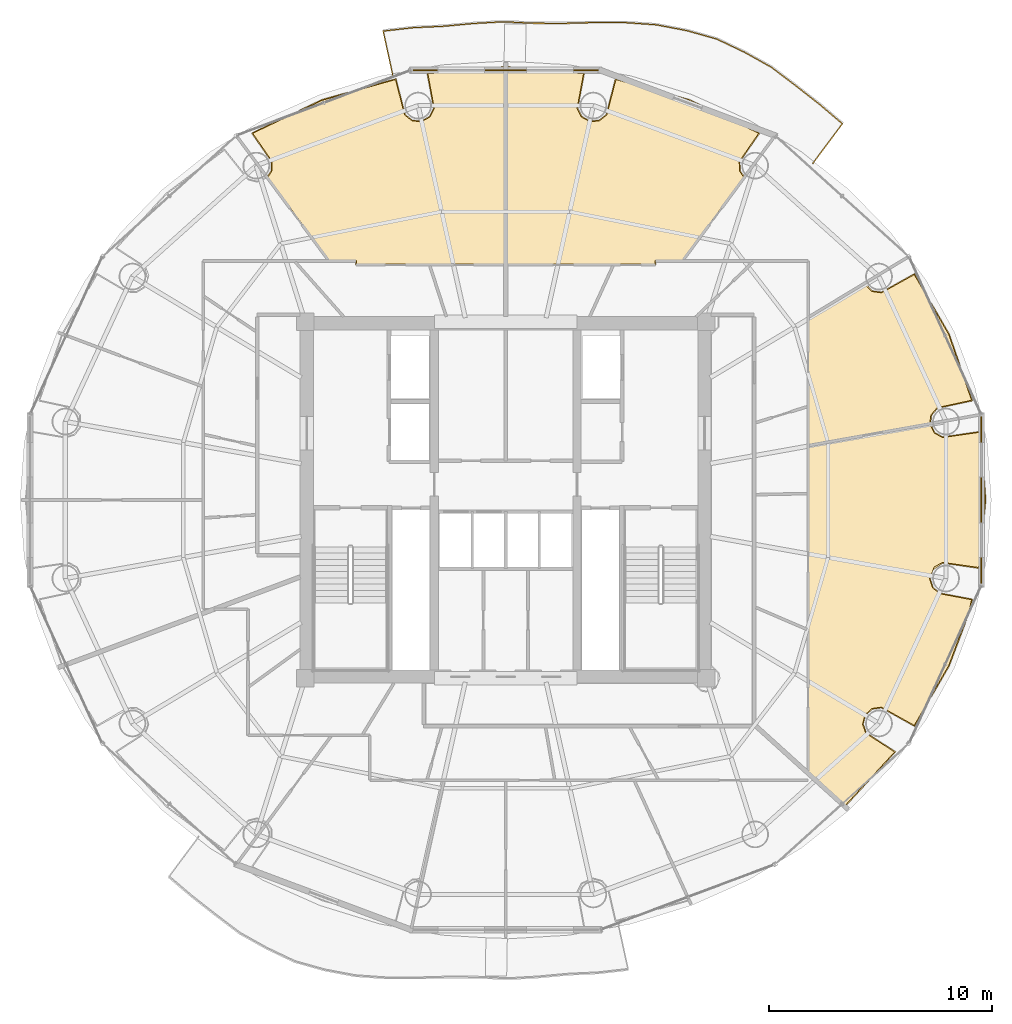
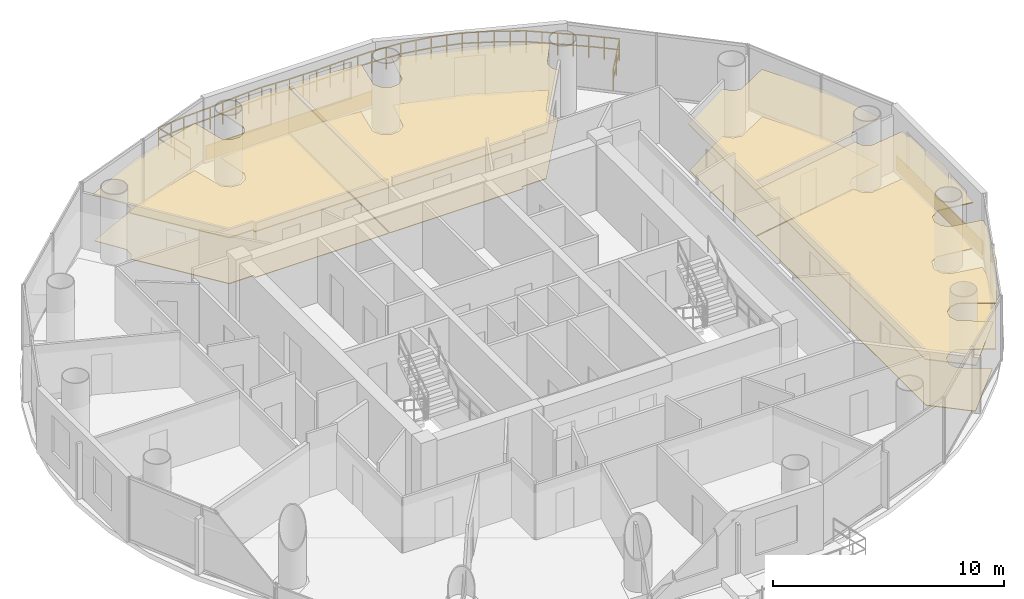
# One storey, part 26 of 26: 10 coverings, 1 railing.
"""IFC4 building model written with IfcOpenShell, lengths in metres."""

import ifcopenshell
import ifcopenshell.guid

model = None  # the IFC model being written
_history = None  # IfcOwnerHistory: only IFC2X3 demands one
_inside = {}  # id of a spatial element -> (the spatial element, [elements in it])
_under = {}  # id of a project, library or spatial element -> (it, [spatial elements below it])
_declared = {}  # id of a project -> (the project, [libraries it declares])
_typed = {}  # id of a type object -> (the type object, [elements of that type])
_made_of = {}  # id of a material, layer set ... -> (it, [elements and type objects made of it])


def new_model(schema):
    """Start an empty IFC model of exactly this schema.

    Asked for "IFC4X3", IfcOpenShell would pick the latest addendum, in which some entities
    have other attributes; the version numbers below select the first issue.
    IFC2X3 requires an IfcOwnerHistory on every rooted entity: one is made here for all.
    """
    global model, _history
    if schema == "IFC4X3":
        model = ifcopenshell.file(schema_version=(4, 3, 0, 0))
    else:
        model = ifcopenshell.file(schema=schema)
    _inside.clear()
    _under.clear()
    _declared.clear()
    _typed.clear()
    _made_of.clear()
    _history = None
    if model.schema == "IFC2X3":
        org = make("IfcOrganization", Name="unknown")
        user = make(
            "IfcPersonAndOrganization",
            ThePerson=make("IfcPerson", FamilyName="unknown"),
            TheOrganization=org,
        )
        app = make(
            "IfcApplication",
            ApplicationDeveloper=org,
            Version="unknown",
            ApplicationFullName="unknown",
            ApplicationIdentifier="unknown",
        )
        _history = make(
            "IfcOwnerHistory",
            OwningUser=user,
            OwningApplication=app,
            ChangeAction="ADDED",
            CreationDate=0,
        )
    return model


def make(cls, **values):
    """One entity of the class cls with the attributes given. An attribute that is None is left unset."""
    return model.create_entity(
        cls, **{name: value for name, value in values.items() if value is not None}
    )


def rooted(cls, **values):
    """An entity with a GlobalId (a new one), such as an element, a storey or a relation."""
    return make(cls, GlobalId=ifcopenshell.guid.new(), OwnerHistory=_history, **values)


def si_unit(unit_type, name, prefix=None):
    """IfcSIUnit, for example si_unit("LENGTHUNIT", "METRE", prefix="MILLI")."""
    return make("IfcSIUnit", UnitType=unit_type, Prefix=prefix, Name=name)


def assignment(units):
    """IfcUnitAssignment: the units of a project."""
    return None if units is None else make("IfcUnitAssignment", Units=units)


def point(xyz):
    """IfcCartesianPoint."""
    return None if xyz is None else make("IfcCartesianPoint", Coordinates=xyz)


def direction(xyz):
    """IfcDirection."""
    return None if xyz is None else make("IfcDirection", DirectionRatios=xyz)


def frame(location, z_axis=None, x_axis=None):
    """IfcAxis2Placement3D, a coordinate frame: its origin and axes. An axis left out is left unset."""
    return make(
        "IfcAxis2Placement3D",
        Location=point(location),
        Axis=direction(z_axis),
        RefDirection=direction(x_axis),
    )


def frame_2d(location, x_axis=None):
    """IfcAxis2Placement2D, a coordinate frame in the plane: its origin and x axis."""
    return make(
        "IfcAxis2Placement2D", Location=point(location), RefDirection=direction(x_axis)
    )


def origin():
    """The frame at (0, 0, 0) with its axes left unset."""
    return frame((0.0, 0.0, 0.0))


def origin_2d():
    """The frame at (0, 0) in the plane with its x axis left unset."""
    return frame_2d((0.0, 0.0))


def place(relative_to, where):
    """IfcLocalPlacement: puts the frame where relative to a parent placement (None: the world)."""
    return make(
        "IfcLocalPlacement", PlacementRelTo=relative_to, RelativePlacement=where
    )


def context(
    kind, dimensions, precision=None, world=None, true_north=None, identifier=None
):
    """IfcGeometricRepresentationContext, for example the 3D "Model" context."""
    return make(
        "IfcGeometricRepresentationContext",
        ContextIdentifier=identifier,
        ContextType=kind,
        CoordinateSpaceDimension=dimensions,
        Precision=precision,
        WorldCoordinateSystem=world,
        TrueNorth=true_north,
    )


def subcontext(parent, identifier, kind, view, scale=None):
    """IfcGeometricRepresentationSubContext, for example "Body" below "Model"."""
    return make(
        "IfcGeometricRepresentationSubContext",
        ContextIdentifier=identifier,
        ContextType=kind,
        ParentContext=parent,
        TargetScale=scale,
        TargetView=view,
    )


def project(units=None, contexts=None):
    """IfcProject with its units and contexts."""
    return rooted(
        "IfcProject",
        Name="project",
        RepresentationContexts=contexts,
        UnitsInContext=assignment(units),
    )


def spatial(cls, under=None, at=None, **own):
    """A site, building, storey or space (cls), placed at a placement, below another one or the project."""
    s = rooted(cls, ObjectPlacement=at, **own)
    if under is not None:
        _under.setdefault(under.id(), (under, []))[1].append(s)
    return s


def polyline(points):
    """IfcPolyline through the points."""
    return make("IfcPolyline", Points=[point(p) for p in points])


def profile(cls, at=None, kind="AREA", **sizes):
    """A parametric profile (cls). Its sizes go by their IFC names, for example OverallWidth=200.0."""
    return make(cls, ProfileType=kind, Position=at, **sizes)


def rectangle(**sizes):
    """IfcRectangleProfileDef."""
    return profile("IfcRectangleProfileDef", **sizes)


def outline(outer, holes=None, kind="AREA"):
    """IfcArbitraryClosedProfileDef: a profile drawn as a closed curve; with holes, ...WithVoids."""
    if holes is None:
        return make("IfcArbitraryClosedProfileDef", ProfileType=kind, OuterCurve=outer)
    return make(
        "IfcArbitraryProfileDefWithVoids",
        ProfileType=kind,
        OuterCurve=outer,
        InnerCurves=holes,
    )


def extrude(swept, where, along, depth):
    """IfcExtrudedAreaSolid: the profile swept, set in the frame where, extruded along a direction by depth."""
    return make(
        "IfcExtrudedAreaSolid",
        SweptArea=swept,
        Position=where,
        ExtrudedDirection=direction(along),
        Depth=depth,
    )


def shape(context_of_items, identifier, shape_type, items):
    """IfcShapeRepresentation: the items that make up one representation, for example the "Body"."""
    return make(
        "IfcShapeRepresentation",
        ContextOfItems=context_of_items,
        RepresentationIdentifier=identifier,
        RepresentationType=shape_type,
        Items=items,
    )


def source(mapping_origin, context_of_items, identifier, shape_type, items):
    """IfcRepresentationMap: a shape defined once, which mapped items show again and again."""
    return make(
        "IfcRepresentationMap",
        MappingOrigin=mapping_origin,
        MappedRepresentation=shape(context_of_items, identifier, shape_type, items),
    )


def transform(
    local_origin,
    x_axis=None,
    y_axis=None,
    z_axis=None,
    scale=None,
    scale2=None,
    scale3=None,
    uniform=True,
):
    """IfcCartesianTransformationOperator3D, or its non-uniform kind. x_axis, y_axis, z_axis: its Axis1, 2, 3."""
    if uniform:
        return make(
            "IfcCartesianTransformationOperator3D",
            Axis1=direction(x_axis),
            Axis2=direction(y_axis),
            LocalOrigin=point(local_origin),
            Scale=scale,
            Axis3=direction(z_axis),
        )
    return make(
        "IfcCartesianTransformationOperator3DnonUniform",
        Axis1=direction(x_axis),
        Axis2=direction(y_axis),
        LocalOrigin=point(local_origin),
        Scale=scale,
        Axis3=direction(z_axis),
        Scale2=scale2,
        Scale3=scale3,
    )


def mapped(mapping_source, mapping_target):
    """IfcMappedItem: shows the shape of a source again, moved by a transform."""
    return make(
        "IfcMappedItem", MappingSource=mapping_source, MappingTarget=mapping_target
    )


def material(Name=None, Category=None):
    """IfcMaterial."""
    return make("IfcMaterial", Name=Name, Category=Category)


def layer(
    of_material, thickness, ventilated=None, Name=None, Category=None, Priority=None
):
    """IfcMaterialLayer: one layer of a wall or slab, of a material (None: an air gap)."""
    return make(
        "IfcMaterialLayer",
        Material=of_material,
        LayerThickness=thickness,
        IsVentilated=ventilated,
        Name=Name,
        Category=Category,
        Priority=Priority,
    )


def layer_set(layers, Name=None):
    """IfcMaterialLayerSet."""
    return make("IfcMaterialLayerSet", MaterialLayers=layers, LayerSetName=Name)


def made_of(thing, what):
    """Note that an element or type object is made of a material, layer set ...; save() writes the relation."""
    if what is not None:
        _made_of.setdefault(what.id(), (what, []))[1].append(thing)
    return thing


def type_object(cls, material=None, **own):
    """A type object (cls), such as IfcWallType, which elements share."""
    return made_of(rooted(cls, **own), material)


def element(
    cls,
    number,
    at=None,
    inside=None,
    cuts=None,
    type_object=None,
    material=None,
    context=None,
    identifier="Body",
    shape_type=None,
    held_by="IfcProductDefinitionShape",
    body=None,
    shapes=None,
    **own,
):
    """One element of the class cls, such as IfcWall. Its Tag is "e" and its number.

    at: its placement. inside: the storey or other place that contains it. cuts: it is an
    opening in that element (IfcRelVoidsElement). A single representation is given by context,
    identifier, shape_type and body (its items); several are given by shapes. held_by: the class
    of the entity that holds the representations. save() writes the other relations.
    """
    e = rooted(cls, Tag="e%d" % number, ObjectPlacement=at, **own)
    if body is not None:
        shapes = [shape(context, identifier, shape_type, body)]
    if shapes is not None:
        e.Representation = make(held_by, Representations=shapes)
    if inside is not None:
        _inside.setdefault(inside.id(), (inside, []))[1].append(e)
    if cuts is not None:
        rooted(
            "IfcRelVoidsElement", RelatingBuildingElement=cuts, RelatedOpeningElement=e
        )
    if type_object is not None:
        _typed.setdefault(type_object.id(), (type_object, []))[1].append(e)
    return made_of(e, material)


def aggregate(whole, parts):
    """IfcRelAggregates: a whole, such as a stair, and the parts it consists of."""
    return rooted("IfcRelAggregates", RelatingObject=whole, RelatedObjects=parts)


def save(model, path):
    """Write the relations noted so far, then the file.

    IfcRelAggregates (storeys below a building ...), IfcRelContainedInSpatialStructure (elements
    in a storey), IfcRelDefinesByType, IfcRelAssociatesMaterial and IfcRelDeclares: one each for
    every whole, place, type object, material and project.
    """
    for whole, parts in _under.values():
        aggregate(whole, parts)
    for where, things in _inside.values():
        rooted(
            "IfcRelContainedInSpatialStructure",
            RelatedElements=things,
            RelatingStructure=where,
        )
    for kind, things in _typed.values():
        rooted("IfcRelDefinesByType", RelatedObjects=things, RelatingType=kind)
    for what, things in _made_of.values():
        rooted("IfcRelAssociatesMaterial", RelatedObjects=things, RelatingMaterial=what)
    for by, libraries in _declared.values():
        rooted("IfcRelDeclares", RelatingContext=by, RelatedDefinitions=libraries)
    model.write(path)


model = new_model("IFC4")

# Units and contexts
model_context = context("Model", 3, precision=1e-05, world=origin(), true_north=direction((-0.2419218956, 0.970295726276)))
body_context = subcontext(model_context, "Body", "Model", "MODEL_VIEW")
ifc_project = project(units=[si_unit("LENGTHUNIT", "METRE"), si_unit("AREAUNIT", "SQUARE_METRE"), si_unit("VOLUMEUNIT", "CUBIC_METRE"), si_unit("PLANEANGLEUNIT", "RADIAN"), si_unit("MASSUNIT", "GRAM", prefix="KILO")], contexts=[model_context])

# Site, building, storey
site_placement = place(None, origin())
site = spatial("IfcSite", under=ifc_project, at=site_placement, CompositionType="ELEMENT")
building_placement = place(site_placement, origin())
building = spatial("IfcBuilding", under=site, at=building_placement, Name="Cobrevalo Terracotta Tower", CompositionType="ELEMENT")
storey_placement = place(building_placement, frame((0.0, 0.0, 209.699951171875)))
storey = spatial("IfcBuildingStorey", under=building, at=storey_placement, Name="L55", CompositionType="ELEMENT", Elevation=209.699951171875)

# Railing
ifc_material_1 = material(Name="Laminated structural glass and stainless steel", Category="steel")
railing_type = type_object("IfcRailingType", Name="Balcony lobe structural glass & terracotta-cap balustrade 1180 mm", PredefinedType="BALUSTRADE", material=ifc_material_1)
railing_placement = place(storey_placement, frame((51.78515625, 41.906982421875, 0.0)))
element("IfcRailing", 1, at=railing_placement, inside=storey, type_object=railing_type, Name="L55 spiralling balcony lobe balustrade 1", PredefinedType="BALUSTRADE", context=body_context, shape_type="SweptSolid", body=[
    extrude(rectangle(XDim=0.048095703125, YDim=0.048095703125, at=origin_2d()), frame((0.0, 0.0, 1.15576171875), z_axis=(0.597710082733, 0.801712328082, 0.0), x_axis=(-0.801712328082, 0.597710082733, 0.0)), (0.0, 0.0, 1.0), 2.219970703125),
    extrude(rectangle(XDim=0.048095703125, YDim=0.048095703125, at=origin_2d()), frame((0.0, 0.0, 0.58984375), z_axis=(0.597710082733, 0.801712328082, 0.0), x_axis=(-0.801712328082, 0.597710082733, 0.0)), (0.0, 0.0, 1.0), 2.219970703125),
    extrude(rectangle(XDim=0.048095703125, YDim=0.048095703125, at=origin_2d()), frame((1.326904296875, 1.77978515625, 1.15576171875), z_axis=(-0.761732547747, 0.647891600272, 0.0), x_axis=(-0.647891600272, -0.761732547747, 0.0)), (0.0, 0.0, 1.0), 1.34033203125),
    extrude(rectangle(XDim=0.048095703125, YDim=0.048095703125, at=origin_2d()), frame((1.326904296875, 1.77978515625, 0.58984375), z_axis=(-0.761732547747, 0.647891600272, 0.0), x_axis=(-0.647891600272, -0.761732547747, 0.0)), (0.0, 0.0, 1.0), 1.34033203125),
    extrude(rectangle(XDim=0.048095703125, YDim=0.048095703125, at=origin_2d()), frame((0.305908203125, 2.648193359375, 1.15576171875), z_axis=(-0.78735727438, 0.616496976863, 0.0), x_axis=(-0.616496976863, -0.78735727438, 0.0)), (0.0, 0.0, 1.0), 1.3603515625),
    extrude(rectangle(XDim=0.048095703125, YDim=0.048095703125, at=origin_2d()), frame((0.305908203125, 2.648193359375, 0.58984375), z_axis=(-0.78735727438, 0.616496976863, 0.0), x_axis=(-0.616496976863, -0.78735727438, 0.0)), (0.0, 0.0, 1.0), 1.3603515625),
    extrude(rectangle(XDim=0.048095703125, YDim=0.048095703125, at=origin_2d()), frame((-0.76513671875, 3.48681640625, 1.15576171875), z_axis=(-0.797115447236, 0.603826931974, 0.0), x_axis=(-0.603826931974, -0.797115447236, 0.0)), (0.0, 0.0, 1.0), 1.37548828125),
    extrude(rectangle(XDim=0.048095703125, YDim=0.048095703125, at=origin_2d()), frame((-0.76513671875, 3.48681640625, 0.58984375), z_axis=(-0.797115447236, 0.603826931974, 0.0), x_axis=(-0.603826931974, -0.797115447236, 0.0)), (0.0, 0.0, 1.0), 1.37548828125),
    extrude(rectangle(XDim=0.048095703125, YDim=0.048095703125, at=origin_2d()), frame((-1.861572265625, 4.3173828125, 1.15576171875), z_axis=(-0.873038587176, 0.487651130729, 0.0), x_axis=(-0.487651130729, -0.873038587176, 0.0)), (0.0, 0.0, 1.0), 1.38232421875),
    extrude(rectangle(XDim=0.048095703125, YDim=0.048095703125, at=origin_2d()), frame((-1.861572265625, 4.3173828125, 0.58984375), z_axis=(-0.873038587176, 0.487651130729, 0.0), x_axis=(-0.487651130729, -0.873038587176, 0.0)), (0.0, 0.0, 1.0), 1.38232421875),
    extrude(rectangle(XDim=0.048095703125, YDim=0.048095703125, at=origin_2d()), frame((-3.068359375, 4.991455078125, 1.15576171875), z_axis=(-0.903169863712, 0.42928335314, 0.0), x_axis=(-0.42928335314, -0.903169863712, 0.0)), (0.0, 0.0, 1.0), 1.384765625),
    extrude(rectangle(XDim=0.048095703125, YDim=0.048095703125, at=origin_2d()), frame((-3.068359375, 4.991455078125, 0.58984375), z_axis=(-0.903169863712, 0.42928335314, 0.0), x_axis=(-0.42928335314, -0.903169863712, 0.0)), (0.0, 0.0, 1.0), 1.384765625),
    extrude(rectangle(XDim=0.048095703125, YDim=0.048095703125, at=origin_2d()), frame((-4.319091796875, 5.5859375, 1.15576171875), z_axis=(-0.962849200281, 0.270039659157, 0.0), x_axis=(-0.270039659157, -0.962849200281, 0.0)), (0.0, 0.0, 1.0), 1.392333984375),
    extrude(rectangle(XDim=0.048095703125, YDim=0.048095703125, at=origin_2d()), frame((-4.319091796875, 5.5859375, 0.58984375), z_axis=(-0.962849200281, 0.270039659157, 0.0), x_axis=(-0.270039659157, -0.962849200281, 0.0)), (0.0, 0.0, 1.0), 1.392333984375),
    extrude(rectangle(XDim=0.048095703125, YDim=0.048095703125, at=origin_2d()), frame((-5.65966796875, 5.9619140625, 1.15576171875), z_axis=(-0.982404507671, 0.18676558384, 0.0), x_axis=(-0.18676558384, -0.982404507671, 0.0)), (0.0, 0.0, 1.0), 1.39208984375),
    extrude(rectangle(XDim=0.048095703125, YDim=0.048095703125, at=origin_2d()), frame((-5.65966796875, 5.9619140625, 0.58984375), z_axis=(-0.982404507671, 0.18676558384, 0.0), x_axis=(-0.18676558384, -0.982404507671, 0.0)), (0.0, 0.0, 1.0), 1.39208984375),
    extrude(rectangle(XDim=0.048095703125, YDim=0.048095703125, at=origin_2d()), frame((-7.02734375, 6.221923828125, 1.15576171875), z_axis=(-0.997537108573, 0.070140694466, 0.0), x_axis=(-0.070140694466, -0.997537108573, 0.0)), (0.0, 0.0, 1.0), 1.395751953125),
    extrude(rectangle(XDim=0.048095703125, YDim=0.048095703125, at=origin_2d()), frame((-7.02734375, 6.221923828125, 0.58984375), z_axis=(-0.997537108573, 0.070140694466, 0.0), x_axis=(-0.070140694466, -0.997537108573, 0.0)), (0.0, 0.0, 1.0), 1.395751953125),
    extrude(rectangle(XDim=0.048095703125, YDim=0.048095703125, at=origin_2d()), frame((-8.419677734375, 6.31982421875, 1.15576171875), z_axis=(-0.999996537414, 0.002631569835, 0.0), x_axis=(-0.002631569835, -0.999996537414, 0.0)), (0.0, 0.0, 1.0), 1.3916015625),
    extrude(rectangle(XDim=0.048095703125, YDim=0.048095703125, at=origin_2d()), frame((-8.419677734375, 6.31982421875, 0.58984375), z_axis=(-0.999996537414, 0.002631569835, 0.0), x_axis=(-0.002631569835, -0.999996537414, 0.0)), (0.0, 0.0, 1.0), 1.3916015625),
    extrude(rectangle(XDim=0.048095703125, YDim=0.048095703125, at=origin_2d()), frame((-9.811279296875, 6.323486328125, 1.15576171875), z_axis=(-0.999615105914, -0.027742386857, 0.0), x_axis=(0.027742386857, -0.999615105914, 0.0)), (0.0, 0.0, 1.0), 1.372802734375),
    extrude(rectangle(XDim=0.048095703125, YDim=0.048095703125, at=origin_2d()), frame((-9.811279296875, 6.323486328125, 0.58984375), z_axis=(-0.999615105914, -0.027742386857, 0.0), x_axis=(0.027742386857, -0.999615105914, 0.0)), (0.0, 0.0, 1.0), 1.372802734375),
    extrude(rectangle(XDim=0.048095703125, YDim=0.048095703125, at=origin_2d()), frame((-11.18359375, 6.285400390625, 1.15576171875), z_axis=(-0.999987296902, 0.00504044002, 0.0), x_axis=(-0.00504044002, -0.999987296902, 0.0)), (0.0, 0.0, 1.0), 1.356201171875),
    extrude(rectangle(XDim=0.048095703125, YDim=0.048095703125, at=origin_2d()), frame((-11.18359375, 6.285400390625, 0.58984375), z_axis=(-0.999987296902, 0.00504044002, 0.0), x_axis=(-0.00504044002, -0.999987296902, 0.0)), (0.0, 0.0, 1.0), 1.356201171875),
    extrude(rectangle(XDim=0.048095703125, YDim=0.048095703125, at=origin_2d()), frame((-12.539794921875, 6.292236328125, 1.15576171875), z_axis=(-0.998842632, 0.048097780614, 0.0), x_axis=(-0.048097780614, -0.998842632, 0.0)), (0.0, 0.0, 1.0), 1.35009765625),
    extrude(rectangle(XDim=0.048095703125, YDim=0.048095703125, at=origin_2d()), frame((-12.539794921875, 6.292236328125, 0.58984375), z_axis=(-0.998842632, 0.048097780614, 0.0), x_axis=(-0.048097780614, -0.998842632, 0.0)), (0.0, 0.0, 1.0), 1.35009765625),
    extrude(rectangle(XDim=0.048095703125, YDim=0.048095703125, at=origin_2d()), frame((-13.888427734375, 6.357177734375, 1.15576171875), z_axis=(-0.998368392493, -0.057101251046, 0.0), x_axis=(0.057101251046, -0.998368392493, 0.0)), (0.0, 0.0, 1.0), 1.35107421875),
    extrude(rectangle(XDim=0.048095703125, YDim=0.048095703125, at=origin_2d()), frame((-13.888427734375, 6.357177734375, 0.58984375), z_axis=(-0.998368392493, -0.057101251046, 0.0), x_axis=(0.057101251046, -0.998368392493, 0.0)), (0.0, 0.0, 1.0), 1.35107421875),
    extrude(rectangle(XDim=0.048095703125, YDim=0.048095703125, at=origin_2d()), frame((-15.2373046875, 6.280029296875, 1.15576171875), z_axis=(-0.995769225707, -0.09188933091, 0.0), x_axis=(0.09188933091, -0.995769225707, 0.0)), (0.0, 0.0, 1.0), 1.349609375),
    extrude(rectangle(XDim=0.048095703125, YDim=0.048095703125, at=origin_2d()), frame((-15.2373046875, 6.280029296875, 0.58984375), z_axis=(-0.995769225707, -0.09188933091, 0.0), x_axis=(0.09188933091, -0.995769225707, 0.0)), (0.0, 0.0, 1.0), 1.349609375),
    extrude(rectangle(XDim=0.048095703125, YDim=0.048095703125, at=origin_2d()), frame((-16.581298828125, 6.156005859375, 1.15576171875), z_axis=(-0.998924947744, -0.04635675543, 0.0), x_axis=(0.04635675543, -0.998924947744, 0.0)), (0.0, 0.0, 1.0), 1.353515625),
    extrude(rectangle(XDim=0.048095703125, YDim=0.048095703125, at=origin_2d()), frame((-16.581298828125, 6.156005859375, 0.58984375), z_axis=(-0.998924947744, -0.04635675543, 0.0), x_axis=(0.04635675543, -0.998924947744, 0.0)), (0.0, 0.0, 1.0), 1.353515625),
    extrude(rectangle(XDim=0.048095703125, YDim=0.048095703125, at=origin_2d()), frame((-17.933349609375, 6.09326171875, 1.15576171875), z_axis=(-0.993577748747, -0.113151478979, 0.0), x_axis=(0.113151478979, -0.993577748747, 0.0)), (0.0, 0.0, 1.0), 1.359375),
    extrude(rectangle(XDim=0.048095703125, YDim=0.048095703125, at=origin_2d()), frame((-17.933349609375, 6.09326171875, 0.58984375), z_axis=(-0.993577748747, -0.113151478979, 0.0), x_axis=(0.113151478979, -0.993577748747, 0.0)), (0.0, 0.0, 1.0), 1.359375),
    extrude(rectangle(XDim=0.048095703125, YDim=0.048095703125, at=origin_2d()), frame((-19.283935546875, 5.939453125, 1.15576171875), z_axis=(0.212291313127, -0.97720642567, 0.0), x_axis=(0.97720642567, 0.212291313127, 0.0)), (0.0, 0.0, 1.0), 2.0517578125),
    extrude(rectangle(XDim=0.048095703125, YDim=0.048095703125, at=origin_2d()), frame((-19.283935546875, 5.939453125, 0.58984375), z_axis=(0.212291313127, -0.97720642567, 0.0), x_axis=(0.97720642567, 0.212291313127, 0.0)), (0.0, 0.0, 1.0), 2.0517578125),
    extrude(rectangle(XDim=0.0419921875, YDim=0.0419921875, at=origin_2d()), origin(), (0.0, 0.0, 1.0), 1.1318359375),
    extrude(rectangle(XDim=0.0419921875, YDim=0.0419921875, at=origin_2d()), frame((0.66357421875, 0.889892578125, 0.0)), (0.0, 0.0, 1.0), 1.1318359375),
    extrude(rectangle(XDim=0.0419921875, YDim=0.0419921875, at=origin_2d()), frame((1.326904296875, 1.77978515625, 0.0)), (0.0, 0.0, 1.0), 1.1318359375),
    extrude(rectangle(XDim=0.0419921875, YDim=0.0419921875, at=origin_2d()), frame((0.81640625, 2.2138671875, 0.0)), (0.0, 0.0, 1.0), 1.1318359375),
    extrude(rectangle(XDim=0.0419921875, YDim=0.0419921875, at=origin_2d()), frame((0.305908203125, 2.648193359375, 0.0)), (0.0, 0.0, 1.0), 1.1318359375),
    extrude(rectangle(XDim=0.0419921875, YDim=0.0419921875, at=origin_2d()), frame((-0.2294921875, 3.0673828125, 0.0)), (0.0, 0.0, 1.0), 1.1318359375),
    extrude(rectangle(XDim=0.0419921875, YDim=0.0419921875, at=origin_2d()), frame((-0.76513671875, 3.48681640625, 0.0)), (0.0, 0.0, 1.0), 1.1318359375),
    extrude(rectangle(XDim=0.0419921875, YDim=0.0419921875, at=origin_2d()), frame((-1.3134765625, 3.902099609375, 0.0)), (0.0, 0.0, 1.0), 1.1318359375),
    extrude(rectangle(XDim=0.0419921875, YDim=0.0419921875, at=origin_2d()), frame((-1.861572265625, 4.3173828125, 0.0)), (0.0, 0.0, 1.0), 1.1318359375),
    extrude(rectangle(XDim=0.0419921875, YDim=0.0419921875, at=origin_2d()), frame((-2.46484375, 4.654296875, 0.0)), (0.0, 0.0, 1.0), 1.1318359375),
    extrude(rectangle(XDim=0.0419921875, YDim=0.0419921875, at=origin_2d()), frame((-3.068359375, 4.991455078125, 0.0)), (0.0, 0.0, 1.0), 1.1318359375),
    extrude(rectangle(XDim=0.0419921875, YDim=0.0419921875, at=origin_2d()), frame((-3.69384765625, 5.28857421875, 0.0)), (0.0, 0.0, 1.0), 1.1318359375),
    extrude(rectangle(XDim=0.0419921875, YDim=0.0419921875, at=origin_2d()), frame((-4.319091796875, 5.5859375, 0.0)), (0.0, 0.0, 1.0), 1.1318359375),
    extrude(rectangle(XDim=0.0419921875, YDim=0.0419921875, at=origin_2d()), frame((-4.9892578125, 5.77392578125, 0.0)), (0.0, 0.0, 1.0), 1.1318359375),
    extrude(rectangle(XDim=0.0419921875, YDim=0.0419921875, at=origin_2d()), frame((-5.65966796875, 5.9619140625, 0.0)), (0.0, 0.0, 1.0), 1.1318359375),
    extrude(rectangle(XDim=0.0419921875, YDim=0.0419921875, at=origin_2d()), frame((-6.343505859375, 6.091796875, 0.0)), (0.0, 0.0, 1.0), 1.1318359375),
    extrude(rectangle(XDim=0.0419921875, YDim=0.0419921875, at=origin_2d()), frame((-7.02734375, 6.221923828125, 0.0)), (0.0, 0.0, 1.0), 1.1318359375),
    extrude(rectangle(XDim=0.0419921875, YDim=0.0419921875, at=origin_2d()), frame((-7.7236328125, 6.27099609375, 0.0)), (0.0, 0.0, 1.0), 1.1318359375),
    extrude(rectangle(XDim=0.0419921875, YDim=0.0419921875, at=origin_2d()), frame((-8.419677734375, 6.31982421875, 0.0)), (0.0, 0.0, 1.0), 1.1318359375),
    extrude(rectangle(XDim=0.0419921875, YDim=0.0419921875, at=origin_2d()), frame((-9.115478515625, 6.32177734375, 0.0)), (0.0, 0.0, 1.0), 1.1318359375),
    extrude(rectangle(XDim=0.0419921875, YDim=0.0419921875, at=origin_2d()), frame((-9.811279296875, 6.323486328125, 0.0)), (0.0, 0.0, 1.0), 1.1318359375),
    extrude(rectangle(XDim=0.0419921875, YDim=0.0419921875, at=origin_2d()), frame((-10.49755859375, 6.304443359375, 0.0)), (0.0, 0.0, 1.0), 1.1318359375),
    extrude(rectangle(XDim=0.0419921875, YDim=0.0419921875, at=origin_2d()), frame((-11.18359375, 6.285400390625, 0.0)), (0.0, 0.0, 1.0), 1.1318359375),
    extrude(rectangle(XDim=0.0419921875, YDim=0.0419921875, at=origin_2d()), frame((-11.86181640625, 6.288818359375, 0.0)), (0.0, 0.0, 1.0), 1.1318359375),
    extrude(rectangle(XDim=0.0419921875, YDim=0.0419921875, at=origin_2d()), frame((-12.539794921875, 6.292236328125, 0.0)), (0.0, 0.0, 1.0), 1.1318359375),
    extrude(rectangle(XDim=0.0419921875, YDim=0.0419921875, at=origin_2d()), frame((-13.214111328125, 6.32470703125, 0.0)), (0.0, 0.0, 1.0), 1.1318359375),
    extrude(rectangle(XDim=0.0419921875, YDim=0.0419921875, at=origin_2d()), frame((-13.888427734375, 6.357177734375, 0.0)), (0.0, 0.0, 1.0), 1.1318359375),
    extrude(rectangle(XDim=0.0419921875, YDim=0.0419921875, at=origin_2d()), frame((-14.56298828125, 6.318603515625, 0.0)), (0.0, 0.0, 1.0), 1.1318359375),
    extrude(rectangle(XDim=0.0419921875, YDim=0.0419921875, at=origin_2d()), frame((-15.2373046875, 6.280029296875, 0.0)), (0.0, 0.0, 1.0), 1.1318359375),
    extrude(rectangle(XDim=0.0419921875, YDim=0.0419921875, at=origin_2d()), frame((-15.9091796875, 6.218017578125, 0.0)), (0.0, 0.0, 1.0), 1.1318359375),
    extrude(rectangle(XDim=0.0419921875, YDim=0.0419921875, at=origin_2d()), frame((-16.581298828125, 6.156005859375, 0.0)), (0.0, 0.0, 1.0), 1.1318359375),
    extrude(rectangle(XDim=0.0419921875, YDim=0.0419921875, at=origin_2d()), frame((-17.25732421875, 6.12451171875, 0.0)), (0.0, 0.0, 1.0), 1.1318359375),
    extrude(rectangle(XDim=0.0419921875, YDim=0.0419921875, at=origin_2d()), frame((-17.933349609375, 6.09326171875, 0.0)), (0.0, 0.0, 1.0), 1.1318359375),
    extrude(rectangle(XDim=0.0419921875, YDim=0.0419921875, at=origin_2d()), frame((-18.608642578125, 6.016357421875, 0.0)), (0.0, 0.0, 1.0), 1.1318359375),
    extrude(rectangle(XDim=0.0419921875, YDim=0.0419921875, at=origin_2d()), frame((-19.283935546875, 5.939453125, 0.0)), (0.0, 0.0, 1.0), 1.1318359375),
    extrude(rectangle(XDim=0.0419921875, YDim=0.0419921875, at=origin_2d()), frame((-19.066162109375, 4.93701171875, 0.0)), (0.0, 0.0, 1.0), 1.1318359375),
    extrude(rectangle(XDim=0.0419921875, YDim=0.0419921875, at=origin_2d()), frame((-18.848388671875, 3.9345703125, 0.0)), (0.0, 0.0, 1.0), 1.1318359375),
])

# Coverings
ifc_material_2 = material(Name="Engineered Brazilian hardwood flooring", Category="wood")
ifc_layer_1 = layer(ifc_material_2, 0.028076171875)
ifc_layer_set_1 = layer_set([ifc_layer_1], Name="Engineered Brazilian hardwood flooring")
covering_type_1 = type_object("IfcCoveringType", Name="Engineered Hardwood Suite Flooring 28", PredefinedType="FLOORING", material=ifc_layer_set_1)
covering_1_placement = place(storey_placement, origin())
element("IfcCovering", 2, at=covering_1_placement, inside=storey, type_object=covering_type_1, Name="Flat L55A Living and Dining Room floor finish", PredefinedType="FLOORING", context=body_context, shape_type="SweptSolid", body=[
    extrude(outline(polyline([(29.763916015625, 44.741455078125), (33.0517578125, 45.669921875), (33.462890625, 44.078369140625), (33.801025390625, 43.813232421875), (34.229248046875, 43.78076171875), (34.603759765625, 43.991455078125), (34.7978515625, 44.375), (34.509765625, 45.931640625), (37.97998046875, 46.21875), (37.97998046875, 37.385009765625), (31.294921875, 37.385009765625), (31.294921875, 37.544921875), (30.080078125, 37.544921875), (27.318603515625, 41.279541015625), (27.502685546875, 41.560546875), (27.522705078125, 41.98974609375), (26.6455078125, 43.259765625), (29.763916015625, 44.741455078125)])), origin(), (0.0, 0.0, 1.0), 0.030029296875),
])
covering_2_placement = place(storey_placement, origin())
element("IfcCovering", 3, at=covering_2_placement, inside=storey, type_object=covering_type_1, Name="Flat L55C Penthouse Living and Dining Room floor finish", PredefinedType="FLOORING", context=body_context, shape_type="SweptSolid", body=[
    extrude(outline(polyline([(57.03662109375, 30.20166015625), (57.229248046875, 29.80859375), (57.60400390625, 29.5986328125), (59.2265625, 29.83056640625), (59.3359375, 29.33447265625), (59.52001953125, 26.800048828125), (59.2265625, 23.76953125), (57.60400390625, 24.00146484375), (57.229248046875, 23.791259765625), (57.02294921875, 23.263916015625), (57.15576171875, 22.855224609375), (57.493408203125, 22.58935546875), (58.90771484375, 22.322998046875), (58.786865234375, 21.774169921875), (57.882080078125, 19.368896484375), (56.337890625, 16.6865234375), (54.8623046875, 17.504150390625), (54.437255859375, 17.44091796875), (54.119140625, 17.152099609375), (54.014892578125, 16.735107421875), (54.159912109375, 16.330810546875), (55.453125, 15.4912109375), (53.220947265625, 13.072265625), (51.594970703125, 14.54150390625), (51.594970703125, 29.223388671875), (57.03662109375, 30.20166015625)])), origin(), (0.0, 0.0, 1.0), 0.030029296875),
])
covering_3_placement = place(storey_placement, origin())
element("IfcCovering", 4, at=covering_3_placement, inside=storey, type_object=covering_type_1, Name="Flat L55C Master Bedroom floor finish", PredefinedType="FLOORING", context=body_context, shape_type="SweptSolid", body=[
    extrude(outline(polyline([(54.096435546875, 36.495849609375), (54.437255859375, 36.1591796875), (54.8623046875, 36.095947265625), (56.337890625, 36.91357421875), (57.882080078125, 34.23095703125), (58.90771484375, 31.277099609375), (57.364013671875, 30.94482421875), (57.0849609375, 30.6181640625), (57.0302734375, 30.240966796875), (51.594970703125, 29.26416015625), (51.594970703125, 34.9853515625), (54.096435546875, 36.495849609375)])), origin(), (0.0, 0.0, 1.0), 0.030029296875),
])
covering_4_placement = place(storey_placement, origin())
element("IfcCovering", 5, at=covering_4_placement, inside=storey, type_object=covering_type_1, Name="Flat L55C Penthouse Family Lounge floor finish", PredefinedType="FLOORING", context=body_context, shape_type="SweptSolid", body=[
    extrude(outline(polyline([(44.705078125, 37.385009765625), (38.02001953125, 37.385009765625), (38.02001953125, 46.21875), (41.490234375, 45.931640625), (41.2021484375, 44.375), (41.396240234375, 43.991455078125), (41.770751953125, 43.78076171875), (42.198974609375, 43.813232421875), (42.537109375, 44.078369140625), (42.9482421875, 45.669921875), (46.236083984375, 44.741455078125), (49.3544921875, 43.259765625), (48.477294921875, 41.98974609375), (48.497314453125, 41.560546875), (48.681396484375, 41.279541015625), (45.919921875, 37.544921875), (44.705078125, 37.544921875), (44.705078125, 37.385009765625)])), origin(), (0.0, 0.0, 1.0), 0.030029296875),
])
ifc_material_3 = material(Name="Acoustic perforated gypsum ceiling", Category="gypsum")
ifc_layer_2 = layer(ifc_material_3, 0.050048828125)
ifc_layer_set_2 = layer_set([ifc_layer_2], Name="Acoustic perforated gypsum ceiling")
covering_type_2 = type_object("IfcCoveringType", Name="Perforated Acoustic Gypsum Ceiling 50", PredefinedType="CEILING", material=ifc_layer_set_2)
covering_5_placement = place(storey_placement, frame((0.0, 0.0, 2.445068359375)))
element("IfcCovering", 6, at=covering_5_placement, inside=storey, type_object=covering_type_2, Name="Flat L55A Living and Dining Room acoustic ceiling", PredefinedType="CEILING", context=body_context, shape_type="SweptSolid", body=[
    extrude(outline(polyline([(29.748291015625, 44.78369140625), (33.08642578125, 45.7216796875), (33.499755859375, 44.1044921875), (33.8173828125, 43.85546875), (34.219482421875, 43.82470703125), (34.571044921875, 44.02294921875), (34.753173828125, 44.3828125), (34.455810546875, 45.967529296875), (38.02490234375, 46.2666015625), (38.02490234375, 37.340087890625), (31.25, 37.340087890625), (31.25, 37.5), (30.057373046875, 37.5), (27.25830078125, 41.285400390625), (27.460205078125, 41.57568359375), (27.478759765625, 41.978759765625), (26.579833984375, 43.272705078125), (29.748291015625, 44.78369140625)])), origin(), (0.0, 0.0, 1.0), 0.050048828125),
])
covering_6_placement = place(storey_placement, frame((0.0, 0.0, 2.445068359375)))
element("IfcCovering", 7, at=covering_6_placement, inside=storey, type_object=covering_type_2, Name="Flat L55C Penthouse Living and Dining Room acoustic ceiling", PredefinedType="CEILING", context=body_context, shape_type="SweptSolid", body=[
    extrude(outline(polyline([(57.0703125, 30.25341796875), (57.26171875, 29.83984375), (57.613525390625, 29.642578125), (59.26123046875, 29.88232421875), (59.380615234375, 29.341064453125), (59.565185546875, 26.800048828125), (59.26123046875, 23.717529296875), (57.613525390625, 23.957275390625), (57.177490234375, 23.653076171875), (57.068115234375, 23.2646484375), (57.19287109375, 22.881103515625), (57.509765625, 22.63134765625), (58.961669921875, 22.359130859375), (58.830078125, 21.761474609375), (57.923095703125, 19.35009765625), (56.349853515625, 16.626953125), (54.855712890625, 17.45947265625), (54.45654296875, 17.39990234375), (54.157958984375, 17.12890625), (54.06005859375, 16.737548828125), (54.1962890625, 16.357666015625), (55.518798828125, 15.50439453125), (53.22314453125, 13.009765625), (51.550048828125, 14.521484375), (51.550048828125, 29.260986328125), (57.0703125, 30.25341796875)])), origin(), (0.0, 0.0, 1.0), 0.050048828125),
])
covering_7_placement = place(storey_placement, frame((0.0, 0.0, 2.445068359375)))
element("IfcCovering", 8, at=covering_7_placement, inside=storey, type_object=covering_type_2, Name="Flat L55C Master Bedroom acoustic ceiling", PredefinedType="CEILING", context=body_context, shape_type="SweptSolid", body=[
    extrude(outline(polyline([(54.115966796875, 36.56005859375), (54.45654296875, 36.199951171875), (54.855712890625, 36.140625), (56.349853515625, 36.97314453125), (57.923095703125, 34.249755859375), (58.961669921875, 31.240966796875), (57.388427734375, 30.90673828125), (57.126220703125, 30.60009765625), (57.078369140625, 30.203857421875), (51.550048828125, 29.210205078125), (51.550048828125, 35.010986328125), (54.115966796875, 36.56005859375)])), origin(), (0.0, 0.0, 1.0), 0.050048828125),
])
covering_8_placement = place(storey_placement, frame((0.0, 0.0, 2.445068359375)))
element("IfcCovering", 9, at=covering_8_placement, inside=storey, type_object=covering_type_2, Name="Flat L55C Penthouse Family Lounge acoustic ceiling", PredefinedType="CEILING", context=body_context, shape_type="SweptSolid", body=[
    extrude(outline(polyline([(44.75, 37.340087890625), (37.97509765625, 37.340087890625), (37.97509765625, 46.2666015625), (41.544189453125, 45.967529296875), (41.246826171875, 44.3828125), (41.428955078125, 44.02294921875), (41.780517578125, 43.82470703125), (42.1826171875, 43.85546875), (42.500244140625, 44.1044921875), (42.91357421875, 45.7216796875), (46.251708984375, 44.78369140625), (49.420166015625, 43.272705078125), (48.521240234375, 41.978759765625), (48.539794921875, 41.57568359375), (48.74169921875, 41.285400390625), (45.942626953125, 37.5), (44.75, 37.5), (44.75, 37.340087890625)])), origin(), (0.0, 0.0, 1.0), 0.050048828125),
])
ifc_material_4 = material(Name="Glazed terracotta facade cladding tile", Category="masonry")
ifc_layer_3 = layer(ifc_material_4, 0.044921875)
ifc_layer_set_3 = layer_set([ifc_layer_3], Name="Glazed terracotta facade cladding tile")
covering_type_3 = type_object("IfcCoveringType", Name="Architectural terracotta rainscreen spandrel cladding 45 mm", PredefinedType="CLADDING", material=ifc_layer_set_3)
shared_shape_1 = source(origin(), body_context, "Body", "SweptSolid", [
    extrude(rectangle(XDim=8.294189453125, YDim=0.044921875, at=origin_2d()), origin(), (0.0, 0.0, 1.0), 0.760009765625),
])
covering_9_placement = place(storey_placement, frame((38.0, 46.092041015625, 0.0400390625), z_axis=(0.0, 0.0, 1.0), x_axis=(-1.0, 0.0, 0.0)))
element("IfcCovering", 10, at=covering_9_placement, inside=storey, type_object=covering_type_3, Name="L55 terracotta spandrel cladding S04", PredefinedType="CLADDING", context=body_context, shape_type="MappedRepresentation", body=[
    mapped(shared_shape_1, transform((0.0, 0.0, 0.0), scale=1.0)),
])
shared_shape_2 = source(origin(), body_context, "Body", "SweptSolid", [
    extrude(rectangle(XDim=7.474853515625, YDim=0.044921875, at=origin_2d()), origin(), (0.0, 0.0, 1.0), 0.760009765625),
])
covering_10_placement = place(storey_placement, frame((59.351806640625, 26.800048828125, 0.0400390625), z_axis=(0.0, 0.0, 1.0), x_axis=(0.0, 1.0, 0.0)))
element("IfcCovering", 11, at=covering_10_placement, inside=storey, type_object=covering_type_3, Name="L55 terracotta spandrel cladding S16", PredefinedType="CLADDING", context=body_context, shape_type="MappedRepresentation", body=[
    mapped(shared_shape_2, transform((0.0, 0.0, 0.0), scale=1.0)),
])

save(model, "model.ifc")
